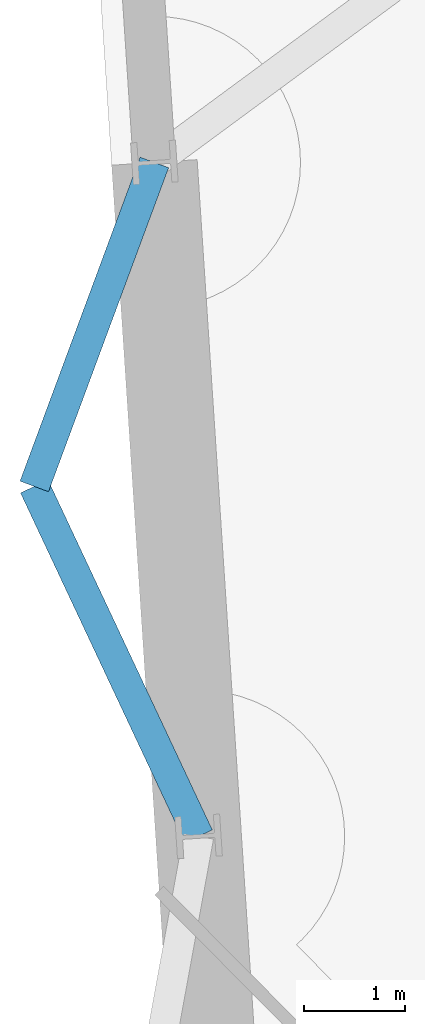
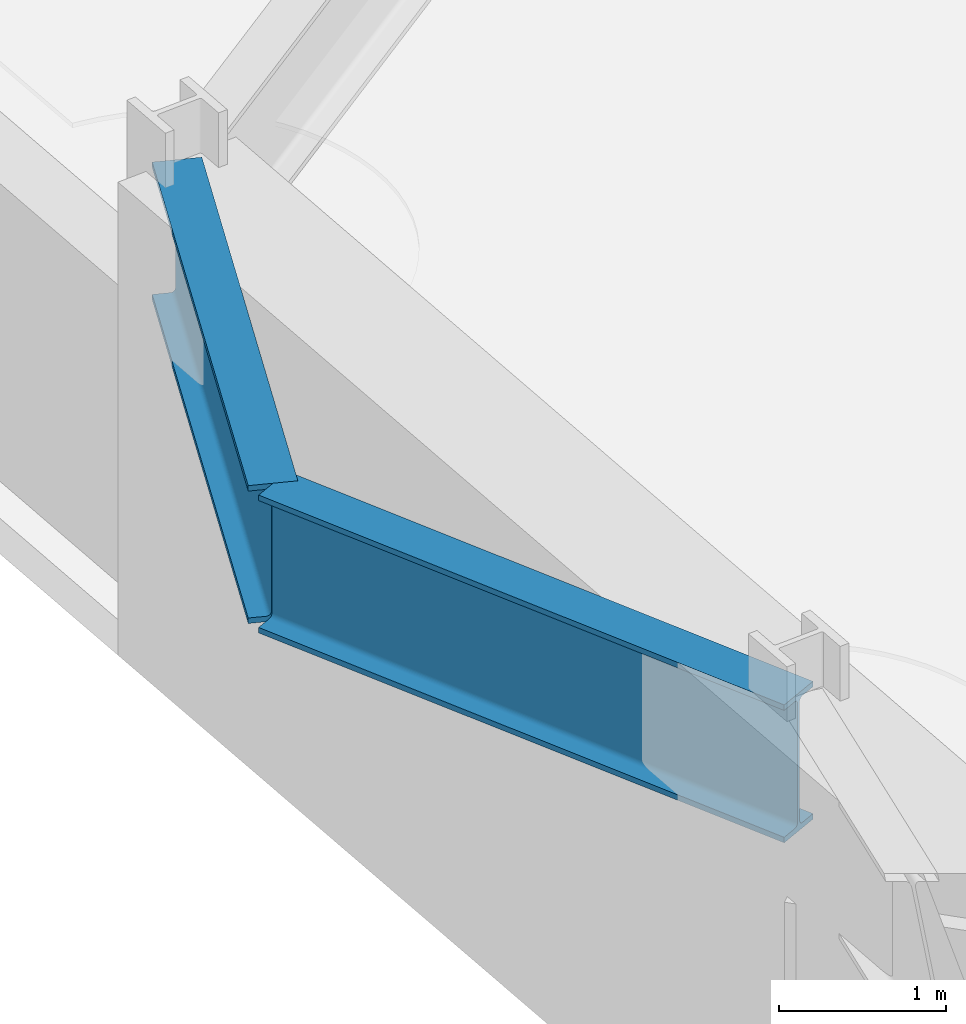
# One storey, part 7 of 15: 2 beams.
"""IFC4 building model written with IfcOpenShell, lengths in metres."""

from ifc_helpers import new_model, si_unit, direction, frame, origin, origin_2d, place, context, subcontext, project, spatial, i_section, extrude, material, material_profile, profile_set, type_object, element, save


model = new_model("IFC4")

# Units and contexts
model_context = context("Model", 3, precision=1e-05, world=origin(), true_north=direction((0.0, 1.0)))
body_context = subcontext(model_context, "Body", "Model", "MODEL_VIEW")
ifc_project = project(units=[si_unit("LENGTHUNIT", "METRE"), si_unit("AREAUNIT", "SQUARE_METRE"), si_unit("VOLUMEUNIT", "CUBIC_METRE"), si_unit("PLANEANGLEUNIT", "RADIAN"), si_unit("MASSUNIT", "GRAM", prefix="KILO")], contexts=[model_context])

# Site, building, storey
site_placement = place(None, origin())
site = spatial("IfcSite", under=ifc_project, at=site_placement, CompositionType="ELEMENT")
building_placement = place(site_placement, origin())
building = spatial("IfcBuilding", under=site, at=building_placement, Name="Narakoshi Arena Tower", CompositionType="ELEMENT")
storey_placement = place(building_placement, frame((0.0, 0.0, 92.10009765625)))
storey = spatial("IfcBuildingStorey", under=building, at=storey_placement, Name="L24", CompositionType="ELEMENT", Elevation=92.10009765625)

# Beams
ifc_material = material(Name="Structural steel S460ML", Category="steel")
ifc_material_profile = material_profile(ifc_material, i_section(OverallWidth=0.302001953125, OverallDepth=1.008056640625, WebThickness=0.02099609375, FlangeThickness=0.0400390625, FilletRadius=0.030029296875, at=origin_2d()), Name="HE1000M")
ifc_profile_set = profile_set([ifc_material_profile], Name="Structural steel S460ML")
beam_type = type_object("IfcBeamType", Name="BM-XFER-1000", PredefinedType="BEAM", material=ifc_profile_set)
beam_1_placement = place(storey_placement, frame((60.785400390625, 71.031005859375, 2.69580078125), z_axis=(-0.347601890754, -0.93764221617, 0.0), x_axis=(0.93764221617, -0.347601890754, 0.0)))
element("IfcBeam", 1, at=beam_1_placement, inside=storey, type_object=beam_type, Name="L24 Block-Turn Transfer Node Girder 10-1", PredefinedType="BEAM", context=body_context, shape_type="SweptSolid", body=[
    extrude(i_section(OverallWidth=0.302001953125, OverallDepth=1.008056640625, WebThickness=0.02099609375, FlangeThickness=0.0400390625, FilletRadius=0.030029296875, at=origin_2d()), origin(), (0.0, 0.0, 1.0), 3.428955078125),
])
beam_2_placement = place(storey_placement, frame((61.223876953125, 64.343017578125, 2.69580078125), z_axis=(-0.424957154218, 0.905213464923, 0.0), x_axis=(-0.905213464923, -0.424957154218, 0.0)))
element("IfcBeam", 2, at=beam_2_placement, inside=storey, type_object=beam_type, Name="L24 Block-Turn Transfer Node Girder 10-2", PredefinedType="BEAM", context=body_context, shape_type="SweptSolid", body=[
    extrude(i_section(OverallWidth=0.302001953125, OverallDepth=1.008056640625, WebThickness=0.02099609375, FlangeThickness=0.0400390625, FilletRadius=0.030029296875, at=origin_2d()), origin(), (0.0, 0.0, 1.0), 3.836669921875),
])

save(model, "model.ifc")
